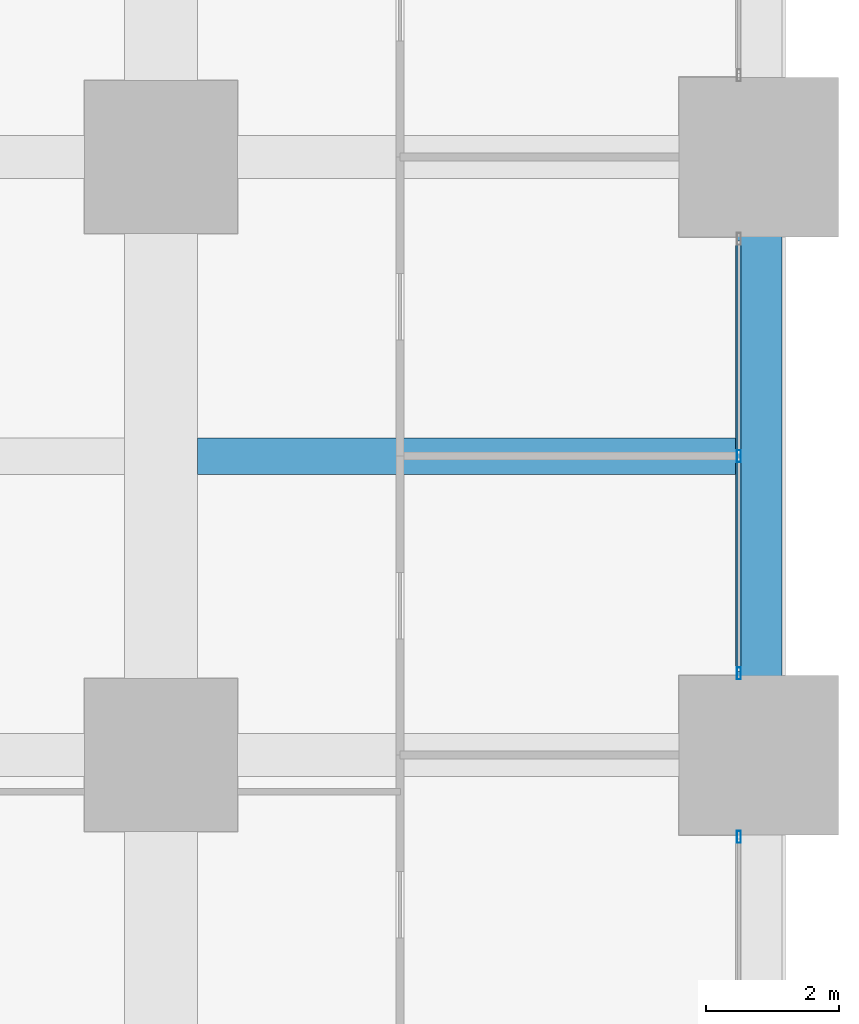
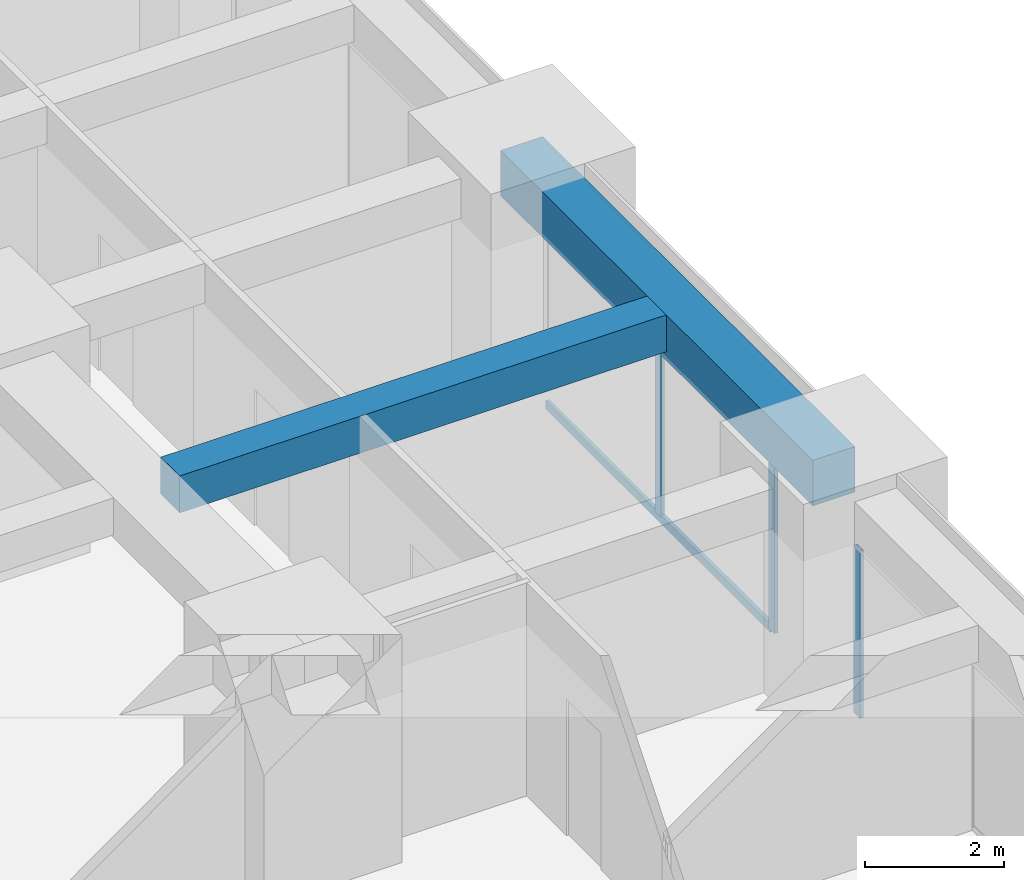
# One storey, part 20 of 45: 4 members, 2 beams, 2 elements without a shape of their own.
"""IFC4 building model written with IfcOpenShell, lengths in metres."""

import ifcopenshell
import ifcopenshell.guid

model = None  # the IFC model being written
_history = None  # IfcOwnerHistory: only IFC2X3 demands one
_inside = {}  # id of a spatial element -> (the spatial element, [elements in it])
_under = {}  # id of a project, library or spatial element -> (it, [spatial elements below it])
_declared = {}  # id of a project -> (the project, [libraries it declares])
_typed = {}  # id of a type object -> (the type object, [elements of that type])
_made_of = {}  # id of a material, layer set ... -> (it, [elements and type objects made of it])


def new_model(schema):
    """Start an empty IFC model of exactly this schema.

    Asked for "IFC4X3", IfcOpenShell would pick the latest addendum, in which some entities
    have other attributes; the version numbers below select the first issue.
    IFC2X3 requires an IfcOwnerHistory on every rooted entity: one is made here for all.
    """
    global model, _history
    if schema == "IFC4X3":
        model = ifcopenshell.file(schema_version=(4, 3, 0, 0))
    else:
        model = ifcopenshell.file(schema=schema)
    _inside.clear()
    _under.clear()
    _declared.clear()
    _typed.clear()
    _made_of.clear()
    _history = None
    if model.schema == "IFC2X3":
        org = make("IfcOrganization", Name="unknown")
        user = make(
            "IfcPersonAndOrganization",
            ThePerson=make("IfcPerson", FamilyName="unknown"),
            TheOrganization=org,
        )
        app = make(
            "IfcApplication",
            ApplicationDeveloper=org,
            Version="unknown",
            ApplicationFullName="unknown",
            ApplicationIdentifier="unknown",
        )
        _history = make(
            "IfcOwnerHistory",
            OwningUser=user,
            OwningApplication=app,
            ChangeAction="ADDED",
            CreationDate=0,
        )
    return model


def make(cls, **values):
    """One entity of the class cls with the attributes given. An attribute that is None is left unset."""
    return model.create_entity(
        cls, **{name: value for name, value in values.items() if value is not None}
    )


def rooted(cls, **values):
    """An entity with a GlobalId (a new one), such as an element, a storey or a relation."""
    return make(cls, GlobalId=ifcopenshell.guid.new(), OwnerHistory=_history, **values)


def si_unit(unit_type, name, prefix=None):
    """IfcSIUnit, for example si_unit("LENGTHUNIT", "METRE", prefix="MILLI")."""
    return make("IfcSIUnit", UnitType=unit_type, Prefix=prefix, Name=name)


def assignment(units):
    """IfcUnitAssignment: the units of a project."""
    return None if units is None else make("IfcUnitAssignment", Units=units)


def point(xyz):
    """IfcCartesianPoint."""
    return None if xyz is None else make("IfcCartesianPoint", Coordinates=xyz)


def direction(xyz):
    """IfcDirection."""
    return None if xyz is None else make("IfcDirection", DirectionRatios=xyz)


def frame(location, z_axis=None, x_axis=None):
    """IfcAxis2Placement3D, a coordinate frame: its origin and axes. An axis left out is left unset."""
    return make(
        "IfcAxis2Placement3D",
        Location=point(location),
        Axis=direction(z_axis),
        RefDirection=direction(x_axis),
    )


def frame_2d(location, x_axis=None):
    """IfcAxis2Placement2D, a coordinate frame in the plane: its origin and x axis."""
    return make(
        "IfcAxis2Placement2D", Location=point(location), RefDirection=direction(x_axis)
    )


def origin():
    """The frame at (0, 0, 0) with its axes left unset."""
    return frame((0.0, 0.0, 0.0))


def origin_2d():
    """The frame at (0, 0) in the plane with its x axis left unset."""
    return frame_2d((0.0, 0.0))


def place(relative_to, where):
    """IfcLocalPlacement: puts the frame where relative to a parent placement (None: the world)."""
    return make(
        "IfcLocalPlacement", PlacementRelTo=relative_to, RelativePlacement=where
    )


def context(
    kind, dimensions, precision=None, world=None, true_north=None, identifier=None
):
    """IfcGeometricRepresentationContext, for example the 3D "Model" context."""
    return make(
        "IfcGeometricRepresentationContext",
        ContextIdentifier=identifier,
        ContextType=kind,
        CoordinateSpaceDimension=dimensions,
        Precision=precision,
        WorldCoordinateSystem=world,
        TrueNorth=true_north,
    )


def subcontext(parent, identifier, kind, view, scale=None):
    """IfcGeometricRepresentationSubContext, for example "Body" below "Model"."""
    return make(
        "IfcGeometricRepresentationSubContext",
        ContextIdentifier=identifier,
        ContextType=kind,
        ParentContext=parent,
        TargetScale=scale,
        TargetView=view,
    )


def project(units=None, contexts=None):
    """IfcProject with its units and contexts."""
    return rooted(
        "IfcProject",
        Name="project",
        RepresentationContexts=contexts,
        UnitsInContext=assignment(units),
    )


def spatial(cls, under=None, at=None, **own):
    """A site, building, storey or space (cls), placed at a placement, below another one or the project."""
    s = rooted(cls, ObjectPlacement=at, **own)
    if under is not None:
        _under.setdefault(under.id(), (under, []))[1].append(s)
    return s


def profile(cls, at=None, kind="AREA", **sizes):
    """A parametric profile (cls). Its sizes go by their IFC names, for example OverallWidth=200.0."""
    return make(cls, ProfileType=kind, Position=at, **sizes)


def rectangle(**sizes):
    """IfcRectangleProfileDef."""
    return profile("IfcRectangleProfileDef", **sizes)


def hollow_rectangle(**sizes):
    """IfcRectangleHollowProfileDef."""
    return profile("IfcRectangleHollowProfileDef", **sizes)


def extrude(swept, where, along, depth):
    """IfcExtrudedAreaSolid: the profile swept, set in the frame where, extruded along a direction by depth."""
    return make(
        "IfcExtrudedAreaSolid",
        SweptArea=swept,
        Position=where,
        ExtrudedDirection=direction(along),
        Depth=depth,
    )


def shape(context_of_items, identifier, shape_type, items):
    """IfcShapeRepresentation: the items that make up one representation, for example the "Body"."""
    return make(
        "IfcShapeRepresentation",
        ContextOfItems=context_of_items,
        RepresentationIdentifier=identifier,
        RepresentationType=shape_type,
        Items=items,
    )


def material(Name=None, Category=None):
    """IfcMaterial."""
    return make("IfcMaterial", Name=Name, Category=Category)


def material_profile(
    of_material, cross_section, Name=None, Category=None, Priority=None
):
    """IfcMaterialProfile: a cross section and its material."""
    return make(
        "IfcMaterialProfile",
        Name=Name,
        Material=of_material,
        Profile=cross_section,
        Priority=Priority,
        Category=Category,
    )


def profile_set(profiles, Name=None, composite=None):
    """IfcMaterialProfileSet."""
    return make(
        "IfcMaterialProfileSet",
        Name=Name,
        MaterialProfiles=profiles,
        CompositeProfile=composite,
    )


def made_of(thing, what):
    """Note that an element or type object is made of a material, layer set ...; save() writes the relation."""
    if what is not None:
        _made_of.setdefault(what.id(), (what, []))[1].append(thing)
    return thing


def type_object(cls, material=None, **own):
    """A type object (cls), such as IfcWallType, which elements share."""
    return made_of(rooted(cls, **own), material)


def element(
    cls,
    number,
    at=None,
    inside=None,
    cuts=None,
    type_object=None,
    material=None,
    context=None,
    identifier="Body",
    shape_type=None,
    held_by="IfcProductDefinitionShape",
    body=None,
    shapes=None,
    **own,
):
    """One element of the class cls, such as IfcWall. Its Tag is "e" and its number.

    at: its placement. inside: the storey or other place that contains it. cuts: it is an
    opening in that element (IfcRelVoidsElement). A single representation is given by context,
    identifier, shape_type and body (its items); several are given by shapes. held_by: the class
    of the entity that holds the representations. save() writes the other relations.
    """
    e = rooted(cls, Tag="e%d" % number, ObjectPlacement=at, **own)
    if body is not None:
        shapes = [shape(context, identifier, shape_type, body)]
    if shapes is not None:
        e.Representation = make(held_by, Representations=shapes)
    if inside is not None:
        _inside.setdefault(inside.id(), (inside, []))[1].append(e)
    if cuts is not None:
        rooted(
            "IfcRelVoidsElement", RelatingBuildingElement=cuts, RelatedOpeningElement=e
        )
    if type_object is not None:
        _typed.setdefault(type_object.id(), (type_object, []))[1].append(e)
    return made_of(e, material)


def aggregate(whole, parts):
    """IfcRelAggregates: a whole, such as a stair, and the parts it consists of."""
    return rooted("IfcRelAggregates", RelatingObject=whole, RelatedObjects=parts)


def save(model, path):
    """Write the relations noted so far, then the file.

    IfcRelAggregates (storeys below a building ...), IfcRelContainedInSpatialStructure (elements
    in a storey), IfcRelDefinesByType, IfcRelAssociatesMaterial and IfcRelDeclares: one each for
    every whole, place, type object, material and project.
    """
    for whole, parts in _under.values():
        aggregate(whole, parts)
    for where, things in _inside.values():
        rooted(
            "IfcRelContainedInSpatialStructure",
            RelatedElements=things,
            RelatingStructure=where,
        )
    for kind, things in _typed.values():
        rooted("IfcRelDefinesByType", RelatedObjects=things, RelatingType=kind)
    for what, things in _made_of.values():
        rooted("IfcRelAssociatesMaterial", RelatedObjects=things, RelatingMaterial=what)
    for by, libraries in _declared.values():
        rooted("IfcRelDeclares", RelatingContext=by, RelatedDefinitions=libraries)
    model.write(path)


model = new_model("IFC4")

# Units and contexts
model_context = context("Model", 3, precision=1e-05, world=origin(), true_north=direction((0.0, 1.0)))
body_context = subcontext(model_context, "Body", "Model", "MODEL_VIEW")
ifc_project = project(units=[si_unit("LENGTHUNIT", "METRE"), si_unit("AREAUNIT", "SQUARE_METRE"), si_unit("VOLUMEUNIT", "CUBIC_METRE"), si_unit("PLANEANGLEUNIT", "RADIAN"), si_unit("MASSUNIT", "GRAM", prefix="KILO")], contexts=[model_context])

# Site, building, storey
site_placement = place(None, origin())
site = spatial("IfcSite", under=ifc_project, at=site_placement, CompositionType="ELEMENT")
building_placement = place(site_placement, origin())
building = spatial("IfcBuilding", under=site, at=building_placement, Name="Zorevar Civic Tower", CompositionType="ELEMENT")
storey_placement = place(building_placement, frame((0.0, 0.0, 27.800048828125)))
storey = spatial("IfcBuildingStorey", under=building, at=storey_placement, Name="L06", CompositionType="ELEMENT", Elevation=27.800048828125)

# Beam
ifc_material_1 = material(Name="Concrete C50/60", Category="concrete")
ifc_material_profile_1 = material_profile(ifc_material_1, rectangle(XDim=0.550048828125, YDim=0.64990234375, at=origin_2d()), Name="RC 550x650")
ifc_profile_set_1 = profile_set([ifc_material_profile_1], Name="Concrete C50/60")
beam_type_1 = type_object("IfcBeamType", Name="Beam RC 550x650", PredefinedType="BEAM", material=ifc_profile_set_1)
beam_1_placement = place(storey_placement, frame((54.550048828125, 22.5, 3.425048828125), z_axis=(1.0, 0.0, 0.0), x_axis=(0.0, 1.0, 0.0)))
element("IfcBeam", 1, at=beam_1_placement, inside=storey, type_object=beam_type_1, Name="Secondary beam L07", PredefinedType="BEAM", context=body_context, shape_type="SweptSolid", body=[
    extrude(rectangle(XDim=0.550048828125, YDim=0.64990234375, at=origin_2d()), origin(), (0.0, 0.0, 1.0), 8.099853515625),
])

# Curtain wall, member
ifc_material_2 = material(Name="Dark grey solar-control glass in black aluminium frame", Category="aluminium")
curtain_wall_type = type_object("IfcCurtainWallType", Name="Curtain wall CW2 low zone", PredefinedType="NOTDEFINED", material=ifc_material_2)
curtain_wall_1_placement = place(storey_placement, origin())
curtain_wall_1 = element("IfcCurtainWall", 2, at=curtain_wall_1_placement, inside=storey, type_object=curtain_wall_type, Name="CW2 L06", PredefinedType="NOTDEFINED")
ifc_material_3 = material(Name="Aluminium, black anodised", Category="aluminium")
ifc_material_profile_2 = material_profile(ifc_material_3, hollow_rectangle(XDim=0.06005859375, YDim=0.179931640625, WallThickness=0.00390625, at=origin_2d()), Name="AL 180x60x4")
ifc_profile_set_2 = profile_set([ifc_material_profile_2], Name="Aluminium, black anodised")
member_type_1 = type_object("IfcMemberType", Name="CW2 mullion AL 180x60x4", PredefinedType="MULLION", material=ifc_profile_set_2)
member_1_placement = place(storey_placement, frame((62.699951171875, 16.77001953125, 0.0), z_axis=(0.0, 0.0, 1.0), x_axis=(-1.0, 0.0, 0.0)))
member_1 = element("IfcMember", 3, at=member_1_placement, type_object=member_type_1, Name="CW2 mullion 3", PredefinedType="MULLION", context=body_context, shape_type="SweptSolid", body=[
    extrude(hollow_rectangle(XDim=0.06005859375, YDim=0.179931640625, WallThickness=0.00390625, at=origin_2d()), origin(), (0.0, 0.0, 1.0), 2.949951171875),
])
aggregate(curtain_wall_1, [member_1])

# Curtain wall, members
curtain_wall_2_placement = place(storey_placement, origin())
curtain_wall_2 = element("IfcCurtainWall", 4, at=curtain_wall_2_placement, inside=storey, type_object=curtain_wall_type, Name="CW2 L06", PredefinedType="NOTDEFINED")
member_2_placement = place(storey_placement, frame((62.699951171875, 19.22998046875, 0.0), z_axis=(0.0, 0.0, 1.0), x_axis=(-1.0, 0.0, 0.0)))
member_2 = element("IfcMember", 5, at=member_2_placement, type_object=member_type_1, Name="CW2 mullion 1", PredefinedType="MULLION", context=body_context, shape_type="SweptSolid", body=[
    extrude(hollow_rectangle(XDim=0.06005859375, YDim=0.179931640625, WallThickness=0.00390625, at=origin_2d()), origin(), (0.0, 0.0, 1.0), 2.949951171875),
])
member_3_placement = place(storey_placement, frame((62.699951171875, 22.5, 0.06005859375), z_axis=(0.0, 0.0, 1.0), x_axis=(-1.0, 0.0, 0.0)))
member_3 = element("IfcMember", 6, at=member_3_placement, type_object=member_type_1, Name="CW2 mullion 2", PredefinedType="MULLION", context=body_context, shape_type="SweptSolid", body=[
    extrude(hollow_rectangle(XDim=0.06005859375, YDim=0.179931640625, WallThickness=0.00390625, at=origin_2d()), origin(), (0.0, 0.0, 1.0), 2.889892578125),
])
ifc_material_4 = material(Name="Aluminium, black anodised", Category="aluminium")
ifc_material_profile_3 = material_profile(ifc_material_4, hollow_rectangle(XDim=0.06005859375, YDim=0.14990234375, WallThickness=0.00390625, at=origin_2d()), Name="AL 150x60x4")
ifc_profile_set_3 = profile_set([ifc_material_profile_3], Name="Aluminium, black anodised")
member_type_2 = type_object("IfcMemberType", Name="CW2 transom AL 150x60x4", PredefinedType="USERDEFINED", material=ifc_profile_set_3)
member_4_placement = place(storey_placement, frame((62.699951171875, 19.260009765625, 0.030029296875), z_axis=(0.0, 1.0, 0.0), x_axis=(-1.0, 0.0, 0.0)))
member_4 = element("IfcMember", 7, at=member_4_placement, type_object=member_type_2, Name="CW2 sill transom", ObjectType="TRANSOM", PredefinedType="USERDEFINED", context=body_context, shape_type="SweptSolid", body=[
    extrude(hollow_rectangle(XDim=0.06005859375, YDim=0.14990234375, WallThickness=0.00390625, at=origin_2d()), origin(), (0.0, 0.0, 1.0), 6.47998046875),
])
aggregate(curtain_wall_2, [member_2, member_3, member_4])

# Beam
ifc_material_5 = material(Name="Concrete C50/60", Category="concrete")
ifc_material_profile_4 = material_profile(ifc_material_5, rectangle(XDim=0.699951171875, YDim=0.800048828125, at=origin_2d()), Name="RC 700x800")
ifc_profile_set_4 = profile_set([ifc_material_profile_4], Name="Concrete C50/60")
beam_type_2 = type_object("IfcBeamType", Name="Edge beam RC 700x800", PredefinedType="SPANDREL", material=ifc_profile_set_4)
beam_2_placement = place(storey_placement, frame((63.0, 18.0, 3.349853515625), z_axis=(0.0, 1.0, 0.0), x_axis=(-1.0, 0.0, 0.0)))
element("IfcBeam", 8, at=beam_2_placement, inside=storey, type_object=beam_type_2, Name="Edge beam L07", PredefinedType="SPANDREL", context=body_context, shape_type="SweptSolid", body=[
    extrude(rectangle(XDim=0.699951171875, YDim=0.800048828125, at=origin_2d()), origin(), (0.0, 0.0, 1.0), 9.0),
])

save(model, "model.ifc")
